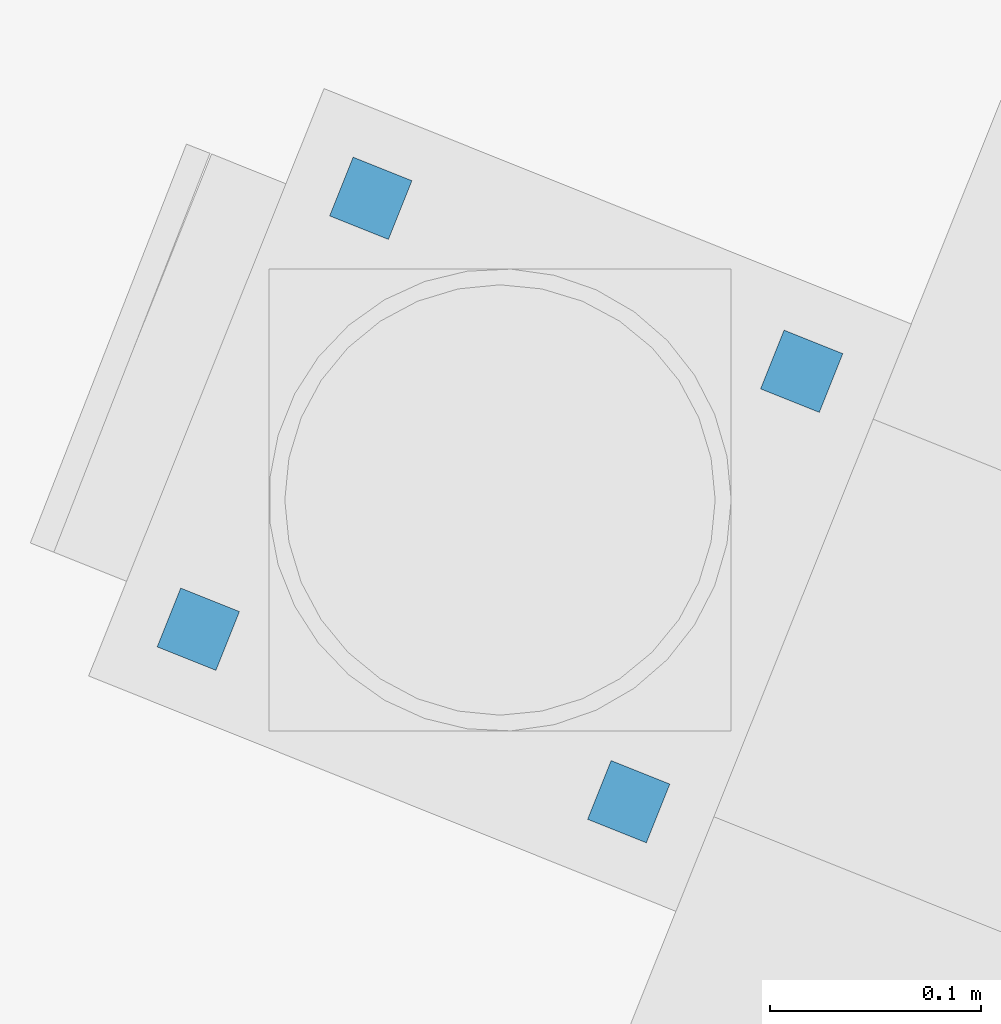
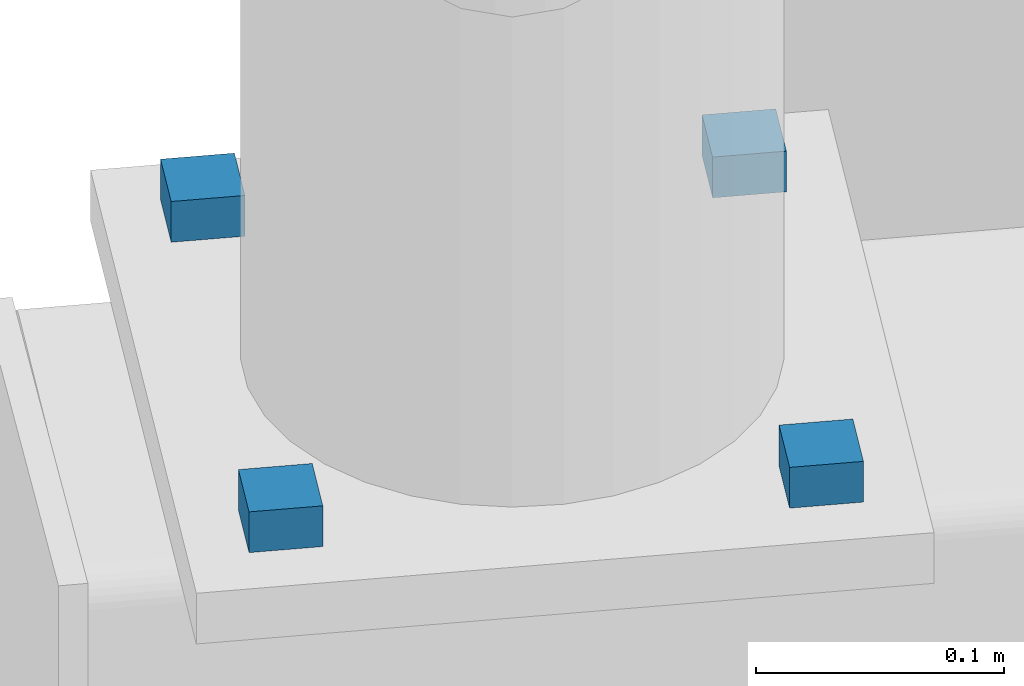
# One storey, part 30 of 32: 4 discrete accessories.
"""IFC4 building model written with IfcOpenShell, lengths in metres."""

from ifc_helpers import new_model, si_unit, direction, frame, origin, origin_2d, place, context, subcontext, project, spatial, rectangle, extrude, element, save


model = new_model("IFC4")

# Units and contexts
model_context = context("Model", 3, precision=1e-05, world=origin(), true_north=direction((0.0, 1.0)))
body_context = subcontext(model_context, "Body", "Model", "MODEL_VIEW")
ifc_project = project(units=[si_unit("LENGTHUNIT", "METRE"), si_unit("AREAUNIT", "SQUARE_METRE"), si_unit("VOLUMEUNIT", "CUBIC_METRE"), si_unit("PLANEANGLEUNIT", "RADIAN"), si_unit("MASSUNIT", "GRAM", prefix="KILO")], contexts=[model_context])

# Site, building, storey
site_placement = place(None, origin())
site = spatial("IfcSite", under=ifc_project, at=site_placement, CompositionType="ELEMENT")
building_placement = place(site_placement, origin())
building = spatial("IfcBuilding", under=site, at=building_placement, Name="Verdalira Terraces Hotel", CompositionType="ELEMENT")
storey_placement = place(building_placement, frame((0.0, 0.0, 315.0)))
storey = spatial("IfcBuildingStorey", under=building, at=storey_placement, Name="L78", CompositionType="ELEMENT", Elevation=315.0)

# Discrete accessories
for number, where, z_axis, x_axis, name in (
    (1, (-31.230957, 12.635254, 19.126709), (0.0, 0.0, 1.0), (-0.928226337, 0.37201595, 0.0), "Mast anchor bolt"),
    (2, (-31.312988, 12.431152, 19.126709), (0.0, 0.0, 1.0), (-0.928226337, 0.37201595, 0.0), "Mast anchor bolt"),
    (3, (-31.435303, 12.717285, 19.126709), (0.0, 0.0, 1.0), (-0.928226337, 0.37201595, 0.0), "Mast anchor bolt"),
    (4, (-31.51709, 12.512939, 19.126709), (0.0, 0.0, 1.0), (-0.928226337, 0.37201595, 0.0), "Mast anchor bolt"),
):
    element("IfcDiscreteAccessory", number, at=place(storey_placement, frame(where, z_axis=z_axis, x_axis=x_axis)), inside=storey, Name=name, PredefinedType="ANCHORPLATE", context=body_context, shape_type="SweptSolid", body=[
        extrude(rectangle(XDim=0.030029, YDim=0.030029, at=origin_2d()), origin(), (0.0, 0.0, 1.0), 0.02002),
    ])

save(model, "model.ifc")
